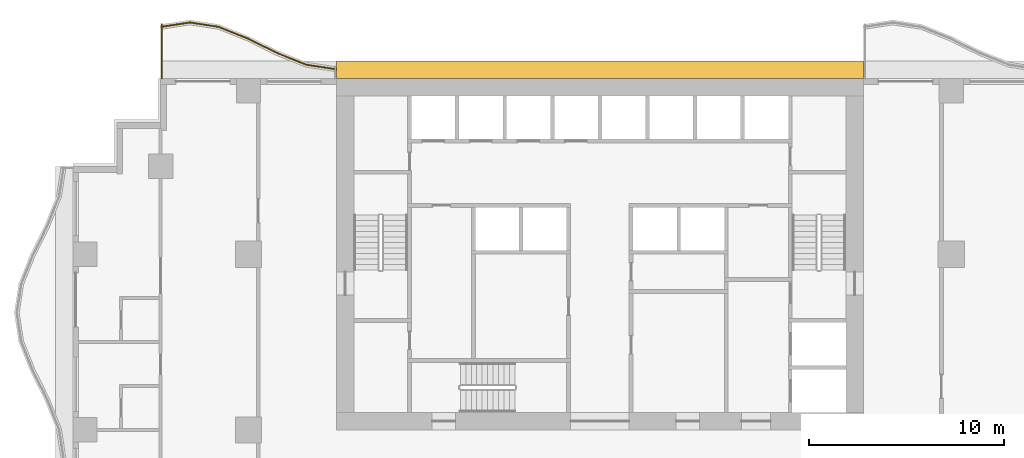
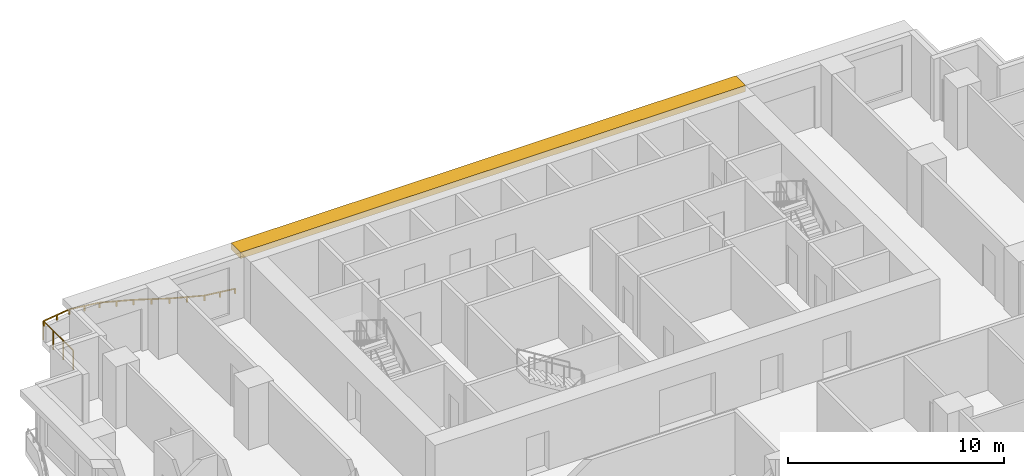
# One storey, part 12 of 13: 2 railings, 1 shading device.
"""IFC4 building model written with IfcOpenShell, lengths in metres."""

from ifc_helpers import new_model, si_unit, direction, frame, origin, origin_2d, place, context, subcontext, project, spatial, polyline, rectangle, outline, extrude, material, layer, layer_set, type_object, element, save


model = new_model("IFC4")

# Units and contexts
model_context = context("Model", 3, precision=1e-05, world=origin(), true_north=direction((0.0, 1.0)))
body_context = subcontext(model_context, "Body", "Model", "MODEL_VIEW")
ifc_project = project(units=[si_unit("LENGTHUNIT", "METRE"), si_unit("AREAUNIT", "SQUARE_METRE"), si_unit("VOLUMEUNIT", "CUBIC_METRE"), si_unit("PLANEANGLEUNIT", "RADIAN"), si_unit("MASSUNIT", "GRAM", prefix="KILO")], contexts=[model_context])

# Site, building, storey
site_placement = place(None, origin())
site = spatial("IfcSite", under=ifc_project, at=site_placement, CompositionType="ELEMENT")
building_placement = place(site_placement, origin())
building = spatial("IfcBuilding", under=site, at=building_placement, Name="Orbiselva Terraces", CompositionType="ELEMENT")
storey_placement = place(building_placement, frame((0.0, 0.0, 99.8)))
storey = spatial("IfcBuildingStorey", under=building, at=storey_placement, Name="L25", CompositionType="ELEMENT", Elevation=99.8)

# Railings
ifc_material_1 = material(Name="Bonded two-ply safety glass balustrade, stainless steel posts", Category="steel")
railing_type_1 = type_object("IfcRailingType", Name="ENV-BALUSTRADE-1200", PredefinedType="BALUSTRADE", material=ifc_material_1)
railing_1_placement = place(storey_placement, frame((-13.518879, 22.976434, 0.9)))
element("IfcRailing", 1, at=railing_1_placement, inside=storey, type_object=railing_type_1, Name="Balcony balustrade L25 NW", PredefinedType="BALUSTRADE", context=body_context, shape_type="SweptSolid", body=[
    extrude(outline(polyline([(0.028868, 0.0), (0.014434, 0.025), (-0.014434, 0.025), (-0.028868, 0.0), (-0.014434, -0.025), (0.014434, -0.025), (0.028868, 0.0)])), frame((0.0, 0.0, 0.275), z_axis=(-0.988528588529, 0.151033869252, 0.0), x_axis=(-0.151033869252, -0.988528588529, 0.0)), (0.0, 0.0, 1.0), 1.531776),
    extrude(outline(polyline([(0.028868, 0.0), (0.014434, 0.025), (-0.014434, 0.025), (-0.028868, 0.0), (-0.014434, -0.025), (0.014434, -0.025), (0.028868, 0.0)])), frame((-1.514204, 0.23135, 0.275), z_axis=(-0.92847681744, 0.371390359967, 0.0), x_axis=(-0.371390359967, -0.92847681744, 0.0)), (0.0, 0.0, 1.0), 1.634838),
    extrude(outline(polyline([(0.028868, 0.0), (0.014434, 0.025), (-0.014434, 0.025), (-0.028868, 0.0), (-0.014434, -0.025), (0.014434, -0.025), (0.028868, 0.0)])), frame((-3.032113, 0.838513, 0.275), z_axis=(-0.896416672454, 0.443212307306, 0.0), x_axis=(-0.443212307306, -0.896416672454, 0.0)), (0.0, 0.0, 1.0), 1.673329),
    extrude(outline(polyline([(0.028868, 0.0), (0.014434, 0.025), (-0.014434, 0.025), (-0.028868, 0.0), (-0.014434, -0.025), (0.014434, -0.025), (0.028868, 0.0)])), frame((-4.532113, 1.580153, 0.275), z_axis=(-0.928476561272, 0.371391000387, 0.0), x_axis=(-0.371391000387, -0.928476561272, 0.0)), (0.0, 0.0, 1.0), 1.596261),
    extrude(outline(polyline([(0.028868, 0.0), (0.014434, 0.025), (-0.014434, 0.025), (-0.028868, 0.0), (-0.014434, -0.025), (0.014434, -0.025), (0.028868, 0.0)])), frame((-6.014204, 2.17299, 0.275), z_axis=(-0.988528606898, 0.151033749027, 0.0), x_axis=(-0.151033749027, -0.988528606898, 0.0)), (0.0, 0.0, 1.0), 1.48394),
    extrude(outline(polyline([(0.028868, 0.0), (0.014434, 0.025), (-0.014434, 0.025), (-0.028868, 0.0), (-0.014434, -0.025), (0.014434, -0.025), (0.028868, 0.0)])), frame((-7.481121, 2.397115, 0.275), z_axis=(-0.988528624669, -0.151033632714, 0.0), x_axis=(0.151033632714, -0.988528624669, 0.0)), (0.0, 0.0, 1.0), 1.498309),
    extrude(rectangle(XDim=0.05, YDim=0.05, at=origin_2d()), origin(), (0.0, 0.0, 1.0), 0.25),
    extrude(rectangle(XDim=0.05, YDim=0.05, at=origin_2d()), frame((-0.757102, 0.115675, 0.0)), (0.0, 0.0, 1.0), 0.25),
    extrude(rectangle(XDim=0.05, YDim=0.05, at=origin_2d()), frame((-1.514204, 0.23135, 0.0)), (0.0, 0.0, 1.0), 0.25),
    extrude(rectangle(XDim=0.05, YDim=0.05, at=origin_2d()), frame((-2.273158, 0.534931, 0.0)), (0.0, 0.0, 1.0), 0.25),
    extrude(rectangle(XDim=0.05, YDim=0.05, at=origin_2d()), frame((-3.032113, 0.838513, 0.0)), (0.0, 0.0, 1.0), 0.25),
    extrude(rectangle(XDim=0.05, YDim=0.05, at=origin_2d()), frame((-3.782113, 1.209333, 0.0)), (0.0, 0.0, 1.0), 0.25),
    extrude(rectangle(XDim=0.05, YDim=0.05, at=origin_2d()), frame((-4.532113, 1.580153, 0.0)), (0.0, 0.0, 1.0), 0.25),
    extrude(rectangle(XDim=0.05, YDim=0.05, at=origin_2d()), frame((-5.273159, 1.876571, 0.0)), (0.0, 0.0, 1.0), 0.25),
    extrude(rectangle(XDim=0.05, YDim=0.05, at=origin_2d()), frame((-6.014204, 2.17299, 0.0)), (0.0, 0.0, 1.0), 0.25),
    extrude(rectangle(XDim=0.05, YDim=0.05, at=origin_2d()), frame((-6.747663, 2.285052, 0.0)), (0.0, 0.0, 1.0), 0.25),
    extrude(rectangle(XDim=0.05, YDim=0.05, at=origin_2d()), frame((-7.481121, 2.397115, 0.0)), (0.0, 0.0, 1.0), 0.25),
    extrude(rectangle(XDim=0.05, YDim=0.05, at=origin_2d()), frame((-8.221682, 2.283967, 0.0)), (0.0, 0.0, 1.0), 0.25),
    extrude(rectangle(XDim=0.05, YDim=0.05, at=origin_2d()), frame((-8.962242, 2.17082, 0.0)), (0.0, 0.0, 1.0), 0.25),
])
ifc_material_2 = material(Name="Stainless steel rail and posts", Category="steel")
railing_type_2 = type_object("IfcRailingType", Name="ENV-GUARD-1105", PredefinedType="BALUSTRADE", material=ifc_material_2)
railing_2_placement = place(storey_placement, frame((-22.44, 25.288239, 0.0)))
element("IfcRailing", 2, at=railing_2_placement, inside=storey, type_object=railing_type_2, Name="Balcony end guard L25 NW", PredefinedType="BALUSTRADE", context=body_context, shape_type="SweptSolid", body=[
    extrude(outline(polyline([(0.028868, 0.0), (0.014434, 0.025), (-0.014434, 0.025), (-0.028868, 0.0), (-0.014434, -0.025), (0.014434, -0.025), (0.028868, 0.0)])), frame((0.0, 0.0, 1.08), z_axis=(0.0, -1.0, 0.0), x_axis=(1.0, 0.0, 0.0)), (0.0, 0.0, 1.0), 2.763239),
    extrude(rectangle(XDim=0.05, YDim=0.05, at=origin_2d()), origin(), (0.0, 0.0, 1.0), 1.055),
    extrude(rectangle(XDim=0.05, YDim=0.05, at=origin_2d()), frame((0.0, -0.92108, 0.0)), (0.0, 0.0, 1.0), 1.055),
    extrude(rectangle(XDim=0.05, YDim=0.05, at=origin_2d()), frame((0.0, -1.842159, 0.0)), (0.0, 0.0, 1.0), 1.055),
    extrude(rectangle(XDim=0.05, YDim=0.05, at=origin_2d()), frame((0.0, -2.763239, 0.0)), (0.0, 0.0, 1.0), 1.055),
])

# Shading device
ifc_material_3 = material(Name="Terracotta baguette sunshade", Category="masonry")
ifc_layer = layer(ifc_material_3, 0.35)
ifc_layer_set = layer_set([ifc_layer], Name="Terracotta baguette sunshade")
shading_device_type = type_object("IfcShadingDeviceType", Name="ENV-SUNSHADE-900x350", PredefinedType="USERDEFINED", material=ifc_layer_set)
shading_device_placement = place(storey_placement, frame((0.0, 0.0, 3.15)))
element("IfcShadingDevice", 3, at=shading_device_placement, inside=storey, type_object=shading_device_type, Name="Sunshade band L25 CORE NORTH", ObjectType="SUNSHADE", PredefinedType="USERDEFINED", context=body_context, shape_type="SweptSolid", body=[
    extrude(outline(polyline([(13.5, 23.4), (-13.5, 23.4), (-13.5, 22.5), (13.5, 22.5), (13.5, 23.4)])), origin(), (0.0, 0.0, 1.0), 0.35),
])

save(model, "model.ifc")
